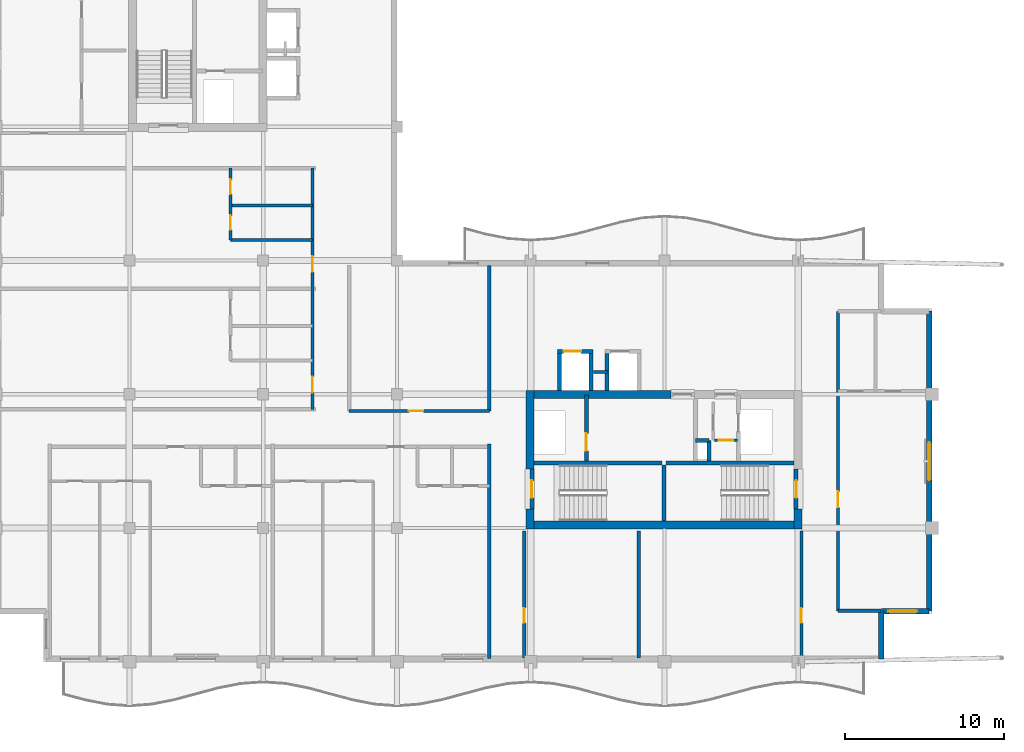
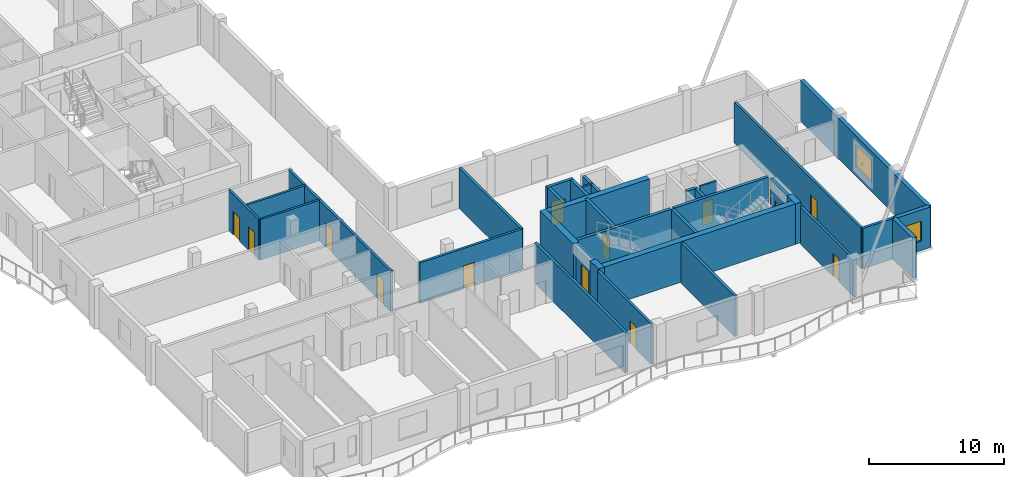
# One storey, part 8 of 17: 34 walls, 13 doors, 2 windows, 15 openings.
"""IFC4 building model written with IfcOpenShell, lengths in metres."""

from ifc_helpers import new_model, si_unit, direction, frame, frame_2d, origin, place, context, subcontext, project, spatial, rectangle, extrude, material, layer, layer_set, type_object, element, fill, save


model = new_model("IFC4")

# Units and contexts
model_context = context("Model", 3, precision=1e-05, world=origin(), true_north=direction((0.0, 1.0)))
body_context = subcontext(model_context, "Body", "Model", "MODEL_VIEW")
ifc_project = project(units=[si_unit("LENGTHUNIT", "METRE"), si_unit("AREAUNIT", "SQUARE_METRE"), si_unit("VOLUMEUNIT", "CUBIC_METRE"), si_unit("PLANEANGLEUNIT", "RADIAN"), si_unit("MASSUNIT", "GRAM", prefix="KILO")], contexts=[model_context])

# Site, building, storey
site_placement = place(None, origin())
site = spatial("IfcSite", under=ifc_project, at=site_placement, CompositionType="ELEMENT")
building_placement = place(site_placement, origin())
building = spatial("IfcBuilding", under=site, at=building_placement, Name="Koriwani Terraces Tower", CompositionType="ELEMENT")
storey_placement = place(building_placement, frame((0.0, 0.0, 332.0)))
storey = spatial("IfcBuildingStorey", under=building, at=storey_placement, Name="L82", CompositionType="ELEMENT", Elevation=332.0)

# Walls
ifc_material_1 = material(Name="Concrete C50/60", Category="concrete")
ifc_layer_1 = layer(ifc_material_1, 0.5, Name="Concrete C50/60")
ifc_layer_set_1 = layer_set([ifc_layer_1], Name="Concrete C50/60")
wall_type_1 = type_object("IfcWallType", Name="WALL_CORE_RC_500", PredefinedType="SHEAR", material=ifc_layer_set_1)
wall_1_placement = place(storey_placement, frame((41.949951171875, 16.75, 0.0), z_axis=(0.0, 0.0, 1.0), x_axis=(0.0, 1.0, 0.0)))
element("IfcWall", 1, at=wall_1_placement, inside=storey, type_object=wall_type_1, Name="L82 East Split Core Shear Wall W1", PredefinedType="SHEAR", context=body_context, shape_type="SweptSolid", body=[
    extrude(rectangle(XDim=1.25, YDim=0.5, at=frame_2d((0.625, 0.0))), origin(), (0.0, 0.0, 1.0), 3.669921875),
])
wall_2_placement = place(storey_placement, frame((41.949951171875, 20.5, 0.0), z_axis=(0.0, 0.0, 1.0), x_axis=(0.0, 1.0, 0.0)))
element("IfcWall", 2, at=wall_2_placement, inside=storey, type_object=wall_type_1, Name="L82 East Split Core Shear Wall W2", PredefinedType="SHEAR", context=body_context, shape_type="SweptSolid", body=[
    extrude(rectangle(XDim=4.949951171875, YDim=0.5, at=frame_2d((2.47509765625, 0.0))), origin(), (0.0, 0.0, 1.0), 3.669921875),
])
wall_3_placement = place(storey_placement, frame((58.800048828125, 16.75, 0.0), z_axis=(0.0, 0.0, 1.0), x_axis=(0.0, 1.0, 0.0)))
element("IfcWall", 3, at=wall_3_placement, inside=storey, type_object=wall_type_1, Name="L82 East Split Core Shear Wall E1", PredefinedType="SHEAR", context=body_context, shape_type="SweptSolid", body=[
    extrude(rectangle(XDim=1.25, YDim=0.5, at=frame_2d((0.625, 0.0))), origin(), (0.0, 0.0, 1.0), 3.669921875),
])
wall_4_placement = place(storey_placement, frame((42.199951171875, 17.0, 0.0), z_axis=(0.0, 0.0, 1.0), x_axis=(1.0, 0.0, 0.0)))
element("IfcWall", 4, at=wall_4_placement, inside=storey, type_object=wall_type_1, Name="L82 East Split Core Shear Wall S1", PredefinedType="SHEAR", context=body_context, shape_type="SweptSolid", body=[
    extrude(rectangle(XDim=16.35009765625, YDim=0.5, at=frame_2d((8.175048828125, 0.0))), origin(), (0.0, 0.0, 1.0), 3.669921875),
])
wall_5_placement = place(storey_placement, frame((42.199951171875, 25.199951171875, 0.0), z_axis=(0.0, 0.0, 1.0), x_axis=(1.0, 0.0, 0.0)))
element("IfcWall", 5, at=wall_5_placement, inside=storey, type_object=wall_type_1, Name="L82 East Split Core Shear Wall N1", PredefinedType="SHEAR", context=body_context, shape_type="SweptSolid", body=[
    extrude(rectangle(XDim=8.60009765625, YDim=0.5, at=frame_2d((4.300048828125, 0.0))), origin(), (0.0, 0.0, 1.0), 3.669921875),
])

# Wall, opening, door
ifc_material_2 = material(Name="Autoclaved Cellular Concrete Blockwork", Category="masonry")
ifc_layer_2 = layer(ifc_material_2, 0.199951171875, Name="Autoclaved Cellular Concrete Blockwork")
ifc_layer_set_2 = layer_set([ifc_layer_2], Name="Autoclaved Cellular Concrete Blockwork")
wall_type_2 = type_object("IfcWallType", Name="WALL_CORRIDOR_200", PredefinedType="PARTITIONING", material=ifc_layer_set_2)
wall_6_placement = place(storey_placement, frame((30.60009765625, 24.14990234375, 0.0), z_axis=(0.0, 0.0, 1.0), x_axis=(1.0, 0.0, 0.0)))
wall_6 = element("IfcWall", 6, at=wall_6_placement, inside=storey, type_object=wall_type_2, Name="L82 Interior Wall WIC4S-L82", PredefinedType="PARTITIONING", context=body_context, shape_type="SweptSolid", body=[
    extrude(rectangle(XDim=8.7998046875, YDim=0.199951171875, at=frame_2d((4.39990234375, 0.0))), origin(), (0.0, 0.0, 1.0), 3.669921875),
])
opening_1_placement = place(wall_6_placement, frame((3.75, 0.0, 0.0)))
opening_1 = element("IfcOpeningElement", 7, at=opening_1_placement, cuts=wall_6, Name="Opening D-06", PredefinedType="OPENING", context=body_context, shape_type="SweptSolid", body=[
    extrude(rectangle(XDim=0.919921875, YDim=2.10009765625, at=frame_2d((0.4599609375, 1.050048828125))), frame((0.0, 0.10986328125, 0.0), z_axis=(0.0, -1.0, 0.0), x_axis=(1.0, 0.0, 0.0)), (0.0, 0.0, 1.0), 0.219970703125),
])
ifc_material_3 = material(Name="Architectural Oak Fire Door", Category="wood")
door_type_1 = type_object("IfcDoorType", Name="DOOR_ROOM_INT_920X2100", OperationType="NOTDEFINED", PredefinedType="DOOR", material=ifc_material_3)
door_1_placement = place(opening_1_placement, origin())
door_1 = element("IfcDoor", 8, at=door_1_placement, inside=storey, type_object=door_type_1, Name="L82 High-Rise Court Lounge Door", OperationType="SINGLE_SWING_RIGHT", OverallHeight=2.10009765625, OverallWidth=0.919921875, PredefinedType="DOOR", context=body_context, shape_type="SweptSolid", body=[
    extrude(rectangle(XDim=0.919921875, YDim=2.10009765625, at=frame_2d((0.4599609375, 1.050048828125))), frame((0.0, 0.02490234375, 0.0), z_axis=(0.0, -1.0, 0.0), x_axis=(1.0, 0.0, 0.0)), (0.0, 0.0, 1.0), 0.050048828125),
])
fill(opening_1, door_1)

wall_7_placement = place(storey_placement, frame((41.60009765625, 8.64990234375, 0.0), z_axis=(0.0, 0.0, 1.0), x_axis=(0.0, 1.0, 0.0)))
wall_7 = element("IfcWall", 9, at=wall_7_placement, inside=storey, type_object=wall_type_2, Name="L82 Interior Wall WRZ4-EW-L82", PredefinedType="PARTITIONING", context=body_context, shape_type="SweptSolid", body=[
    extrude(rectangle(XDim=7.9501953125, YDim=0.199951171875, at=frame_2d((3.97509765625, 0.0))), origin(), (0.0, 0.0, 1.0), 3.669921875),
])
opening_2_placement = place(wall_7_placement, frame((2.199951171875, 0.0, 0.0)))
opening_2 = element("IfcOpeningElement", 10, at=opening_2_placement, cuts=wall_7, Name="Opening D-06", PredefinedType="OPENING", context=body_context, shape_type="SweptSolid", body=[
    extrude(rectangle(XDim=0.919921875, YDim=2.10009765625, at=frame_2d((0.4599609375, 1.050048828125))), frame((0.0, 0.10986328125, 0.0), z_axis=(0.0, -1.0, 0.0), x_axis=(1.0, 0.0, 0.0)), (0.0, 0.0, 1.0), 0.219970703125),
])
door_2_placement = place(opening_2_placement, origin())
door_2 = element("IfcDoor", 11, at=door_2_placement, inside=storey, type_object=door_type_1, Name="L82 Resident Library Study Door", OperationType="SINGLE_SWING_LEFT", OverallHeight=2.10009765625, OverallWidth=0.919921875, PredefinedType="DOOR", context=body_context, shape_type="SweptSolid", body=[
    extrude(rectangle(XDim=0.919921875, YDim=2.10009765625, at=frame_2d((0.4599609375, 1.050048828125))), frame((0.0, 0.02490234375, 0.0), z_axis=(0.0, -1.0, 0.0), x_axis=(1.0, 0.0, 0.0)), (0.0, 0.0, 1.0), 0.050048828125),
])
fill(opening_2, door_2)

wall_8_placement = place(storey_placement, frame((59.0, 8.64990234375, 0.0), z_axis=(0.0, 0.0, 1.0), x_axis=(0.0, 1.0, 0.0)))
wall_8 = element("IfcWall", 12, at=wall_8_placement, inside=storey, type_object=wall_type_2, Name="L82 Interior Wall WRZ4-EE-L82", PredefinedType="PARTITIONING", context=body_context, shape_type="SweptSolid", body=[
    extrude(rectangle(XDim=7.9501953125, YDim=0.199951171875, at=frame_2d((3.97509765625, 0.0))), origin(), (0.0, 0.0, 1.0), 3.360107421875),
])
opening_3_placement = place(wall_8_placement, frame((2.199951171875, 0.0, 0.0)))
opening_3 = element("IfcOpeningElement", 13, at=opening_3_placement, cuts=wall_8, Name="Opening D-06", PredefinedType="OPENING", context=body_context, shape_type="SweptSolid", body=[
    extrude(rectangle(XDim=0.919921875, YDim=2.10009765625, at=frame_2d((0.4599609375, 1.050048828125))), frame((0.0, 0.10986328125, 0.0), z_axis=(0.0, -1.0, 0.0), x_axis=(1.0, 0.0, 0.0)), (0.0, 0.0, 1.0), 0.219970703125),
])
door_3_placement = place(opening_3_placement, origin())
door_3 = element("IfcDoor", 14, at=door_3_placement, inside=storey, type_object=door_type_1, Name="L82 Resident Laundry Room Door", OperationType="SINGLE_SWING_RIGHT", OverallHeight=2.10009765625, OverallWidth=0.919921875, PredefinedType="DOOR", context=body_context, shape_type="SweptSolid", body=[
    extrude(rectangle(XDim=0.919921875, YDim=2.10009765625, at=frame_2d((0.4599609375, 1.050048828125))), frame((0.0, 0.02490234375, 0.0), z_axis=(0.0, -1.0, 0.0), x_axis=(1.0, 0.0, 0.0)), (0.0, 0.0, 1.0), 0.050048828125),
])
fill(opening_3, door_3)

# Wall, openings, doors
wall_9_placement = place(storey_placement, frame((28.300048828125, 24.25, 0.0), z_axis=(0.0, 0.0, 1.0), x_axis=(0.0, 1.0, 0.0)))
wall_9 = element("IfcWall", 15, at=wall_9_placement, inside=storey, type_object=wall_type_2, Name="L82 Interior Wall WRCOR-L82-NE-0", PredefinedType="PARTITIONING", context=body_context, shape_type="SweptSolid", body=[
    extrude(rectangle(XDim=15.14990234375, YDim=0.199951171875, at=frame_2d((7.574951171875, 0.0))), origin(), (0.0, 0.0, 1.0), 3.669921875),
])
opening_4_placement = place(wall_9_placement, frame((1.0576171875, 0.0, 0.0)))
opening_4 = element("IfcOpeningElement", 16, at=opening_4_placement, cuts=wall_9, Name="Opening D-05", PredefinedType="OPENING", context=body_context, shape_type="SweptSolid", body=[
    extrude(rectangle(XDim=1.0, YDim=2.14990234375, at=frame_2d((0.5, 1.074951171875))), frame((0.0, 0.10986328125, 0.0), z_axis=(0.0, -1.0, 0.0), x_axis=(1.0, 0.0, 0.0)), (0.0, 0.0, 1.0), 0.219970703125),
])
opening_5_placement = place(wall_9_placement, frame((8.632568359375, 0.0, 0.0)))
opening_5 = element("IfcOpeningElement", 17, at=opening_5_placement, cuts=wall_9, Name="Opening D-05", PredefinedType="OPENING", context=body_context, shape_type="SweptSolid", body=[
    extrude(rectangle(XDim=1.0, YDim=2.14990234375, at=frame_2d((0.5, 1.074951171875))), frame((0.0, 0.10986328125, 0.0), z_axis=(0.0, -1.0, 0.0), x_axis=(1.0, 0.0, 0.0)), (0.0, 0.0, 1.0), 0.219970703125),
])
door_type_2 = type_object("IfcDoorType", Name="DOOR_SUITE_ENTRY_1000X2150", OperationType="NOTDEFINED", PredefinedType="DOOR", material=ifc_material_3)
door_4_placement = place(opening_4_placement, origin())
door_4 = element("IfcDoor", 18, at=door_4_placement, inside=storey, type_object=door_type_2, Name="Apartment 82NE1 Entrance Door", OperationType="SINGLE_SWING_LEFT", OverallHeight=2.14990234375, OverallWidth=1.0, PredefinedType="DOOR", context=body_context, shape_type="SweptSolid", body=[
    extrude(rectangle(XDim=1.0, YDim=2.14990234375, at=frame_2d((0.5, 1.074951171875))), frame((0.0, 0.02490234375, 0.0), z_axis=(0.0, -1.0, 0.0), x_axis=(1.0, 0.0, 0.0)), (0.0, 0.0, 1.0), 0.050048828125),
])
fill(opening_4, door_4)
door_5_placement = place(opening_5_placement, origin())
door_5 = element("IfcDoor", 19, at=door_5_placement, inside=storey, type_object=door_type_2, Name="Apartment 82NE2 Entrance Door", OperationType="SINGLE_SWING_RIGHT", OverallHeight=2.14990234375, OverallWidth=1.0, PredefinedType="DOOR", context=body_context, shape_type="SweptSolid", body=[
    extrude(rectangle(XDim=1.0, YDim=2.14990234375, at=frame_2d((0.5, 1.074951171875))), frame((0.0, 0.02490234375, 0.0), z_axis=(0.0, -1.0, 0.0), x_axis=(1.0, 0.0, 0.0)), (0.0, 0.0, 1.0), 0.050048828125),
])
fill(opening_5, door_5)

# Wall, opening, door
wall_10_placement = place(storey_placement, frame((61.300048828125, 11.60009765625, 0.0), z_axis=(0.0, 0.0, 1.0), x_axis=(0.0, 1.0, 0.0)))
wall_10 = element("IfcWall", 20, at=wall_10_placement, inside=storey, type_object=wall_type_2, Name="L82 Interior Wall WET-W-L82", PredefinedType="PARTITIONING", context=body_context, shape_type="SweptSolid", body=[
    extrude(rectangle(XDim=18.7998046875, YDim=0.199951171875, at=frame_2d((9.39990234375, 0.0))), origin(), (0.0, 0.0, 1.0), 3.669921875),
])
opening_6_placement = place(wall_10_placement, frame((6.5, 0.0, 0.0)))
opening_6 = element("IfcOpeningElement", 21, at=opening_6_placement, cuts=wall_10, Name="Opening D-05", PredefinedType="OPENING", context=body_context, shape_type="SweptSolid", body=[
    extrude(rectangle(XDim=1.0, YDim=2.14990234375, at=frame_2d((0.5, 1.074951171875))), frame((0.0, 0.10986328125, 0.0), z_axis=(0.0, -1.0, 0.0), x_axis=(1.0, 0.0, 0.0)), (0.0, 0.0, 1.0), 0.219970703125),
])
door_6_placement = place(opening_6_placement, origin())
door_6 = element("IfcDoor", 22, at=door_6_placement, inside=storey, type_object=door_type_2, Name="Apartment 82ET Entrance Door", OperationType="SINGLE_SWING_RIGHT", OverallHeight=2.14990234375, OverallWidth=1.0, PredefinedType="DOOR", context=body_context, shape_type="SweptSolid", body=[
    extrude(rectangle(XDim=1.0, YDim=2.14990234375, at=frame_2d((0.5, 1.074951171875))), frame((0.0, 0.02490234375, 0.0), z_axis=(0.0, -1.0, 0.0), x_axis=(1.0, 0.0, 0.0)), (0.0, 0.0, 1.0), 0.050048828125),
])
fill(opening_6, door_6)

# Walls
ifc_layer_3 = layer(ifc_material_2, 0.219970703125, Name="Autoclaved Cellular Concrete Blockwork")
ifc_layer_set_3 = layer_set([ifc_layer_3], Name="Autoclaved Cellular Concrete Blockwork")
wall_type_3 = type_object("IfcWallType", Name="WALL_DEMISING_220", PredefinedType="PARTITIONING", material=ifc_layer_set_3)
wall_11_placement = place(storey_placement, frame((39.39990234375, 24.14990234375, 0.0), z_axis=(0.0, 0.0, 1.0), x_axis=(0.0, 1.0, 0.0)))
element("IfcWall", 23, at=wall_11_placement, inside=storey, type_object=wall_type_3, Name="L82 Interior Wall WIC4SE-L82", PredefinedType="PARTITIONING", context=body_context, shape_type="SweptSolid", body=[
    extrude(rectangle(XDim=9.150146484375, YDim=0.219970703125, at=frame_2d((4.5751953125, 0.0))), origin(), (0.0, 0.0, 1.0), 3.669921875),
])
wall_12_placement = place(storey_placement, frame((48.800048828125, 8.64990234375, 0.0), z_axis=(0.0, 0.0, 1.0), x_axis=(0.0, 1.0, 0.0)))
element("IfcWall", 24, at=wall_12_placement, inside=storey, type_object=wall_type_3, Name="L82 Interior Wall WRZ4-EM-L82", PredefinedType="PARTITIONING", context=body_context, shape_type="SweptSolid", body=[
    extrude(rectangle(XDim=7.9501953125, YDim=0.219970703125, at=frame_2d((3.97509765625, 0.0))), origin(), (0.0, 0.0, 1.0), 3.669921875),
])
wall_13_placement = place(storey_placement, frame((39.39990234375, 8.60009765625, 0.0), z_axis=(0.0, 0.0, 1.0), x_axis=(0.0, 1.0, 0.0)))
element("IfcWall", 25, at=wall_13_placement, inside=storey, type_object=wall_type_3, Name="L82 Interior Wall WRDEME-L82-SW", PredefinedType="PARTITIONING", context=body_context, shape_type="SweptSolid", body=[
    extrude(rectangle(XDim=13.47998046875, YDim=0.219970703125, at=frame_2d((6.739990234375, 0.0))), origin(), (0.0, 0.0, 1.0), 3.669921875),
])
wall_14_placement = place(storey_placement, frame((61.300048828125, 11.60009765625, 0.0), z_axis=(0.0, 0.0, 1.0), x_axis=(1.0, 0.0, 0.0)))
element("IfcWall", 26, at=wall_14_placement, inside=storey, type_object=wall_type_3, Name="L82 Interior Wall WET-S-L82", PredefinedType="PARTITIONING", context=body_context, shape_type="SweptSolid", body=[
    extrude(rectangle(XDim=2.699951171875, YDim=0.219970703125, at=frame_2d((1.35009765625, 0.0))), origin(), (0.0, 0.0, 1.0), 3.669921875),
])

# Wall, opening, window
ifc_layer_4 = layer(ifc_material_1, 0.35009765625, Name="Concrete C50/60")
ifc_layer_set_4 = layer_set([ifc_layer_4], Name="Concrete C50/60")
wall_type_4 = type_object("IfcWallType", Name="WALL_EXT_BRUTALIST_350", PredefinedType="STANDARD", material=ifc_layer_set_4)
wall_15_placement = place(storey_placement, frame((67.02490234375, 30.425048828125, 0.0), z_axis=(0.0, 0.0, 1.0), x_axis=(0.0, -1.0, 0.0)))
wall_15 = element("IfcWall", 27, at=wall_15_placement, inside=storey, type_object=wall_type_4, Name="L82 Fair-Faced Brutalist Exterior Wall (E_TIP)", PredefinedType="STANDARD", context=body_context, shape_type="SweptSolid", body=[
    extrude(rectangle(XDim=18.85009765625, YDim=0.35009765625, at=frame_2d((9.425048828125, 0.0))), origin(), (0.0, 0.0, 1.0), 3.669921875),
])
opening_7_placement = place(wall_15_placement, frame((8.22509765625, 0.0, 0.85009765625)))
opening_7 = element("IfcOpeningElement", 28, at=opening_7_placement, cuts=wall_15, Name="Opening W-03", PredefinedType="OPENING", context=body_context, shape_type="SweptSolid", body=[
    extrude(rectangle(XDim=2.39990234375, YDim=1.949951171875, at=frame_2d((1.199951171875, 0.97509765625))), frame((0.0, 0.18505859375, 0.0), z_axis=(0.0, -1.0, 0.0), x_axis=(1.0, 0.0, 0.0)), (0.0, 0.0, 1.0), 0.3701171875),
])
ifc_material_4 = material(Name="Tempered Laminated Low-E Glass", Category="glass")
window_type_1 = type_object("IfcWindowType", Name="WIN_RES_LIVING_2400X1950", PartitioningType="DOUBLE_PANEL_VERTICAL", PredefinedType="WINDOW", material=ifc_material_4)
window_1_placement = place(opening_7_placement, origin())
window_1 = element("IfcWindow", 29, at=window_1_placement, inside=storey, type_object=window_type_1, Name="L82 Exterior Window (E_TIP-3)", OverallHeight=1.949951171875, OverallWidth=2.39990234375, PartitioningType="SINGLE_PANEL", PredefinedType="WINDOW", context=body_context, shape_type="SweptSolid", body=[
    extrude(rectangle(XDim=2.39990234375, YDim=1.949951171875, at=frame_2d((1.199951171875, 0.97509765625))), frame((0.0, 0.030029296875, 0.0), z_axis=(0.0, -1.0, 0.0), x_axis=(1.0, 0.0, 0.0)), (0.0, 0.0, 1.0), 0.06005859375),
])
fill(opening_7, window_1)

wall_16_placement = place(storey_placement, frame((67.02490234375, 11.574951171875, 0.0), z_axis=(0.0, 0.0, 1.0), x_axis=(-1.0, 0.0, 0.0)))
wall_16 = element("IfcWall", 30, at=wall_16_placement, inside=storey, type_object=wall_type_4, Name="L82 Fair-Faced Brutalist Exterior Wall (N13)", PredefinedType="STANDARD", context=body_context, shape_type="SweptSolid", body=[
    extrude(rectangle(XDim=3.0, YDim=0.35009765625, at=frame_2d((1.5, 0.0))), origin(), (0.0, 0.0, 1.0), 3.669921875),
])
opening_8_placement = place(wall_16_placement, frame((0.762451171875, 0.0, 0.85009765625)))
opening_8 = element("IfcOpeningElement", 31, at=opening_8_placement, cuts=wall_16, Name="Opening W-04", PredefinedType="OPENING", context=body_context, shape_type="SweptSolid", body=[
    extrude(rectangle(XDim=1.800048828125, YDim=1.800048828125, at=frame_2d((0.89990234375, 0.89990234375))), frame((0.0, 0.18505859375, 0.0), z_axis=(0.0, -1.0, 0.0), x_axis=(1.0, 0.0, 0.0)), (0.0, 0.0, 1.0), 0.3701171875),
])
window_type_2 = type_object("IfcWindowType", Name="WIN_RES_BED_1800X1800", PartitioningType="DOUBLE_PANEL_VERTICAL", PredefinedType="WINDOW", material=ifc_material_4)
window_2_placement = place(opening_8_placement, origin())
window_2 = element("IfcWindow", 32, at=window_2_placement, inside=storey, type_object=window_type_2, Name="L82 Exterior Window (N13-R59)", OverallHeight=1.800048828125, OverallWidth=1.800048828125, PartitioningType="SINGLE_PANEL", PredefinedType="WINDOW", context=body_context, shape_type="SweptSolid", body=[
    extrude(rectangle(XDim=1.800048828125, YDim=1.800048828125, at=frame_2d((0.89990234375, 0.89990234375))), frame((0.0, 0.030029296875, 0.0), z_axis=(0.0, -1.0, 0.0), x_axis=(1.0, 0.0, 0.0)), (0.0, 0.0, 1.0), 0.06005859375),
])
fill(opening_8, window_2)

# Wall
wall_17_placement = place(storey_placement, frame((64.02490234375, 11.574951171875, 0.0), z_axis=(0.0, 0.0, 1.0), x_axis=(0.0, -1.0, 0.0)))
element("IfcWall", 33, at=wall_17_placement, inside=storey, type_object=wall_type_4, Name="L82 Fair-Faced Brutalist Exterior Wall (N14)", PredefinedType="STANDARD", context=body_context, shape_type="SweptSolid", body=[
    extrude(rectangle(XDim=3.0, YDim=0.35009765625, at=frame_2d((1.5, 0.0))), origin(), (0.0, 0.0, 1.0), 3.669921875),
])

# Wall, openings, doors
ifc_material_5 = material(Name="Fire-Rated Acoustic Gypsum Partition", Category="masonry")
ifc_layer_5 = layer(ifc_material_5, 0.179931640625, Name="Fire-Rated Acoustic Gypsum Partition")
ifc_layer_set_5 = layer_set([ifc_layer_5], Name="Fire-Rated Acoustic Gypsum Partition")
wall_type_5 = type_object("IfcWallType", Name="WALL_PLUMBING_180", PredefinedType="PLUMBINGWALL", material=ifc_layer_set_5)
wall_18_placement = place(storey_placement, frame((23.14990234375, 34.89990234375, 0.0), z_axis=(0.0, 0.0, 1.0), x_axis=(0.0, 1.0, 0.0)))
wall_18 = element("IfcWall", 34, at=wall_18_placement, inside=storey, type_object=wall_type_5, Name="L82 Interior Wall WRSVC-L82-NE-1", PredefinedType="PLUMBINGWALL", context=body_context, shape_type="SweptSolid", body=[
    extrude(rectangle(XDim=4.5, YDim=0.179931640625, at=frame_2d((2.25, 0.0))), origin(), (0.0, 0.0, 1.0), 3.669921875),
])
opening_9_placement = place(wall_18_placement, frame((0.6298828125, 0.0, 0.0)))
opening_9 = element("IfcOpeningElement", 35, at=opening_9_placement, cuts=wall_18, Name="Opening D-07", PredefinedType="OPENING", context=body_context, shape_type="SweptSolid", body=[
    extrude(rectangle(XDim=0.89990234375, YDim=2.10009765625, at=frame_2d((0.449951171875, 1.050048828125))), frame((0.0, 0.10009765625, 0.0), z_axis=(0.0, -1.0, 0.0), x_axis=(1.0, 0.0, 0.0)), (0.0, 0.0, 1.0), 0.199951171875),
])
opening_10_placement = place(wall_18_placement, frame((2.8701171875, 0.0, 0.0)))
opening_10 = element("IfcOpeningElement", 36, at=opening_10_placement, cuts=wall_18, Name="Opening D-06", PredefinedType="OPENING", context=body_context, shape_type="SweptSolid", body=[
    extrude(rectangle(XDim=0.919921875, YDim=2.10009765625, at=frame_2d((0.4599609375, 1.050048828125))), frame((0.0, 0.10009765625, 0.0), z_axis=(0.0, -1.0, 0.0), x_axis=(1.0, 0.0, 0.0)), (0.0, 0.0, 1.0), 0.199951171875),
])
door_type_3 = type_object("IfcDoorType", Name="DOOR_BATH_INT_900X2100", OperationType="NOTDEFINED", PredefinedType="DOOR", material=ifc_material_3)
door_7_placement = place(opening_9_placement, origin())
door_7 = element("IfcDoor", 37, at=door_7_placement, inside=storey, type_object=door_type_3, Name="Apartment 82NE2 Bathroom Door", OperationType="SINGLE_SWING_LEFT", OverallHeight=2.10009765625, OverallWidth=0.89990234375, PredefinedType="DOOR", context=body_context, shape_type="SweptSolid", body=[
    extrude(rectangle(XDim=0.89990234375, YDim=2.10009765625, at=frame_2d((0.449951171875, 1.050048828125))), frame((0.0, 0.02490234375, 0.0), z_axis=(0.0, -1.0, 0.0), x_axis=(1.0, 0.0, 0.0)), (0.0, 0.0, 1.0), 0.050048828125),
])
fill(opening_9, door_7)
door_8_placement = place(opening_10_placement, origin())
door_8 = element("IfcDoor", 38, at=door_8_placement, inside=storey, type_object=door_type_1, Name="Apartment 82NE2 Kitchen Door", OperationType="SINGLE_SWING_RIGHT", OverallHeight=2.10009765625, OverallWidth=0.919921875, PredefinedType="DOOR", context=body_context, shape_type="SweptSolid", body=[
    extrude(rectangle(XDim=0.919921875, YDim=2.10009765625, at=frame_2d((0.4599609375, 1.050048828125))), frame((0.0, 0.02490234375, 0.0), z_axis=(0.0, -1.0, 0.0), x_axis=(1.0, 0.0, 0.0)), (0.0, 0.0, 1.0), 0.050048828125),
])
fill(opening_10, door_8)

# Walls
for number, where, z_axis, x_axis, name in (
    (39, (23.14990234375, 34.89990234375, 0.0), (0.0, 0.0, 1.0), (1.0, 0.0, 0.0), "L82 Interior Wall WRSVCS-L82-NE-1"),
    (40, (23.14990234375, 37.06005859375, 0.0), (0.0, 0.0, 1.0), (1.0, 0.0, 0.0), "L82 Interior Wall WRSVCM-L82-NE-1"),
):
    element("IfcWall", number, at=place(storey_placement, frame(where, z_axis=z_axis, x_axis=x_axis)), inside=storey, type_object=wall_type_5, Name=name, PredefinedType="PLUMBINGWALL", context=body_context, shape_type="SweptSolid", body=[
        extrude(rectangle(XDim=5.150146484375, YDim=0.179931640625, at=frame_2d((2.5751953125, 0.0))), origin(), (0.0, 0.0, 1.0), 3.669921875),
    ])
ifc_material_6 = material(Name="Concrete C40/50", Category="concrete")
ifc_layer_6 = layer(ifc_material_6, 0.25, Name="Concrete C40/50")
ifc_layer_set_6 = layer_set([ifc_layer_6], Name="Concrete C40/50")
wall_type_6 = type_object("IfcWallType", Name="WALL_SHAFT_RATED_250", PredefinedType="SOLIDWALL", material=ifc_layer_set_6)
for number, where, z_axis, x_axis, name in (
    (41, (42.199951171875, 20.875, 0.0), (0.0, 0.0, 1.0), (1.0, 0.0, 0.0), "L82 East Split Core Web Wall MID1"),
    (42, (50.5, 20.875, 0.0), (0.0, 0.0, 1.0), (1.0, 0.0, 0.0), "L82 East Split Core Web Wall MID2"),
):
    element("IfcWall", number, at=place(storey_placement, frame(where, z_axis=z_axis, x_axis=x_axis)), inside=storey, type_object=wall_type_6, Name=name, PredefinedType="SOLIDWALL", context=body_context, shape_type="SweptSolid", body=[
        extrude(rectangle(XDim=8.050048828125, YDim=0.25, at=frame_2d((4.02490234375, 0.0))), origin(), (0.0, 0.0, 1.0), 3.669921875),
    ])
wall_19_placement = place(storey_placement, frame((50.375, 17.25, 0.0), z_axis=(0.0, 0.0, 1.0), x_axis=(0.0, 1.0, 0.0)))
element("IfcWall", 43, at=wall_19_placement, inside=storey, type_object=wall_type_6, Name="L82 East Split Core Stair Dividing Wall", PredefinedType="SOLIDWALL", context=body_context, shape_type="SweptSolid", body=[
    extrude(rectangle(XDim=3.5, YDim=0.25, at=frame_2d((1.75, 0.0))), origin(), (0.0, 0.0, 1.0), 3.669921875),
])

# Wall, opening, door
wall_20_placement = place(storey_placement, frame((42.074951171875, 18.0, 0.0), z_axis=(0.0, 0.0, 1.0), x_axis=(0.0, 1.0, 0.0)))
wall_20 = element("IfcWall", 44, at=wall_20_placement, inside=storey, type_object=wall_type_6, Name="L82 Interior Wall WIN-CE-L82-STW", PredefinedType="SOLIDWALL", context=body_context, shape_type="SweptSolid", body=[
    extrude(rectangle(XDim=2.5, YDim=0.25, at=frame_2d((1.25, 0.0))), origin(), (0.0, 0.0, 1.0), 3.669921875),
])
opening_11_placement = place(wall_20_placement, frame((0.699951171875, 0.0, 0.0)))
opening_11 = element("IfcOpeningElement", 45, at=opening_11_placement, cuts=wall_20, Name="Opening D-03", PredefinedType="OPENING", context=body_context, shape_type="SweptSolid", body=[
    extrude(rectangle(XDim=1.10009765625, YDim=2.14990234375, at=frame_2d((0.550048828125, 1.074951171875))), frame((0.0, 0.135009765625, 0.0), z_axis=(0.0, -1.0, 0.0), x_axis=(1.0, 0.0, 0.0)), (0.0, 0.0, 1.0), 0.27001953125),
])
ifc_material_7 = material(Name="Steel ASTM A572 Grade 50", Category="steel")
door_type_4 = type_object("IfcDoorType", Name="DOOR_STAIR_FIRE_1100X2150", OperationType="NOTDEFINED", PredefinedType="DOOR", material=ifc_material_7)
door_9_placement = place(opening_11_placement, origin())
door_9 = element("IfcDoor", 46, at=door_9_placement, inside=storey, type_object=door_type_4, Name="L82 Exit Stair ST-E1 Door", OperationType="SINGLE_SWING_RIGHT", OverallHeight=2.14990234375, OverallWidth=1.10009765625, PredefinedType="DOOR", context=body_context, shape_type="SweptSolid", body=[
    extrude(rectangle(XDim=1.10009765625, YDim=2.14990234375, at=frame_2d((0.550048828125, 1.074951171875))), frame((0.0, 0.02490234375, 0.0), z_axis=(0.0, -1.0, 0.0), x_axis=(1.0, 0.0, 0.0)), (0.0, 0.0, 1.0), 0.050048828125),
])
fill(opening_11, door_9)

wall_21_placement = place(storey_placement, frame((58.675048828125, 18.0, 0.0), z_axis=(0.0, 0.0, 1.0), x_axis=(0.0, 1.0, 0.0)))
wall_21 = element("IfcWall", 47, at=wall_21_placement, inside=storey, type_object=wall_type_6, Name="L82 Interior Wall WIN-CE-L82-STE", PredefinedType="SOLIDWALL", context=body_context, shape_type="SweptSolid", body=[
    extrude(rectangle(XDim=2.5, YDim=0.25, at=frame_2d((1.25, 0.0))), origin(), (0.0, 0.0, 1.0), 3.669921875),
])
opening_12_placement = place(wall_21_placement, frame((0.699951171875, 0.0, 0.0)))
opening_12 = element("IfcOpeningElement", 48, at=opening_12_placement, cuts=wall_21, Name="Opening D-03", PredefinedType="OPENING", context=body_context, shape_type="SweptSolid", body=[
    extrude(rectangle(XDim=1.10009765625, YDim=2.14990234375, at=frame_2d((0.550048828125, 1.074951171875))), frame((0.0, 0.135009765625, 0.0), z_axis=(0.0, -1.0, 0.0), x_axis=(1.0, 0.0, 0.0)), (0.0, 0.0, 1.0), 0.27001953125),
])
door_10_placement = place(opening_12_placement, origin())
door_10 = element("IfcDoor", 49, at=door_10_placement, inside=storey, type_object=door_type_4, Name="L82 Exit Stair ST-E2 Door", OperationType="SINGLE_SWING_LEFT", OverallHeight=2.14990234375, OverallWidth=1.10009765625, PredefinedType="DOOR", context=body_context, shape_type="SweptSolid", body=[
    extrude(rectangle(XDim=1.10009765625, YDim=2.14990234375, at=frame_2d((0.550048828125, 1.074951171875))), frame((0.0, 0.02490234375, 0.0), z_axis=(0.0, -1.0, 0.0), x_axis=(1.0, 0.0, 0.0)), (0.0, 0.0, 1.0), 0.050048828125),
])
fill(opening_12, door_10)

wall_22_placement = place(storey_placement, frame((45.5, 21.0, 0.0), z_axis=(0.0, 0.0, 1.0), x_axis=(0.0, 1.0, 0.0)))
wall_22 = element("IfcWall", 50, at=wall_22_placement, inside=storey, type_object=wall_type_6, Name="L82 Interior Wall WIN-CE-L82-FE", PredefinedType="SOLIDWALL", context=body_context, shape_type="SweptSolid", body=[
    extrude(rectangle(XDim=4.14990234375, YDim=0.25, at=frame_2d((2.074951171875, 0.0))), origin(), (0.0, 0.0, 1.0), 3.669921875),
])
opening_13_placement = place(wall_22_placement, frame((0.64990234375, 0.0, 0.0)))
opening_13 = element("IfcOpeningElement", 51, at=opening_13_placement, cuts=wall_22, Name="Opening LD-01", PredefinedType="OPENING", context=body_context, shape_type="SweptSolid", body=[
    extrude(rectangle(XDim=1.10009765625, YDim=2.14990234375, at=frame_2d((0.550048828125, 1.074951171875))), frame((0.0, 0.135009765625, 0.0), z_axis=(0.0, -1.0, 0.0), x_axis=(1.0, 0.0, 0.0)), (0.0, 0.0, 1.0), 0.27001953125),
])
door_type_5 = type_object("IfcDoorType", Name="DOOR_LIFT_LANDING_1100X2200", OperationType="NOTDEFINED", PredefinedType="DOOR", material=ifc_material_7)
door_11_placement = place(opening_13_placement, origin())
door_11 = element("IfcDoor", 52, at=door_11_placement, inside=storey, type_object=door_type_5, Name="L82 Firefighting Lift FE-02 Landing Door", OperationType="SLIDING_TO_LEFT", OverallHeight=2.14990234375, OverallWidth=1.10009765625, PredefinedType="DOOR", context=body_context, shape_type="SweptSolid", body=[
    extrude(rectangle(XDim=1.10009765625, YDim=2.14990234375, at=frame_2d((0.550048828125, 1.074951171875))), frame((0.0, 0.02490234375, 0.0), z_axis=(0.0, -1.0, 0.0), x_axis=(1.0, 0.0, 0.0)), (0.0, 0.0, 1.0), 0.050048828125),
])
fill(opening_13, door_11)

# Walls
wall_23_placement = place(storey_placement, frame((53.199951171875, 21.0, 0.0), z_axis=(0.0, 0.0, 1.0), x_axis=(0.0, 1.0, 0.0)))
element("IfcWall", 53, at=wall_23_placement, inside=storey, type_object=wall_type_6, Name="L82 Interior Wall WIN-CE-L82-RS1", PredefinedType="SOLIDWALL", context=body_context, shape_type="SweptSolid", body=[
    extrude(rectangle(XDim=1.300048828125, YDim=0.25, at=frame_2d((0.64990234375, 0.0))), origin(), (0.0, 0.0, 1.0), 3.669921875),
])
wall_24_placement = place(storey_placement, frame((52.360107421875, 22.300048828125, 0.0), z_axis=(0.0, 0.0, 1.0), x_axis=(1.0, 0.0, 0.0)))
element("IfcWall", 54, at=wall_24_placement, inside=storey, type_object=wall_type_6, Name="L82 Interior Wall WIN-CE-L82-RS2", PredefinedType="SOLIDWALL", context=body_context, shape_type="SweptSolid", body=[
    extrude(rectangle(XDim=0.83984375, YDim=0.25, at=frame_2d((0.419921875, 0.0))), origin(), (0.0, 0.0, 1.0), 3.669921875),
])

# Wall, opening, door
wall_25_placement = place(storey_placement, frame((43.675048828125, 27.89990234375, 0.0), z_axis=(0.0, 0.0, 1.0), x_axis=(1.0, 0.0, 0.0)))
wall_25 = element("IfcWall", 55, at=wall_25_placement, inside=storey, type_object=wall_type_6, Name="L82 Interior Wall WIN-LF-PE-H3-L82-F", PredefinedType="SOLIDWALL", context=body_context, shape_type="SweptSolid", body=[
    extrude(rectangle(XDim=2.25, YDim=0.25, at=frame_2d((1.125, 0.0))), origin(), (0.0, 0.0, 1.0), 3.669921875),
])
opening_14_placement = place(wall_25_placement, frame((0.39990234375, 0.0, 0.0)))
opening_14 = element("IfcOpeningElement", 56, at=opening_14_placement, cuts=wall_25, Name="Opening LD-01", PredefinedType="OPENING", context=body_context, shape_type="SweptSolid", body=[
    extrude(rectangle(XDim=1.10009765625, YDim=2.14990234375, at=frame_2d((0.550048828125, 1.074951171875))), frame((0.0, 0.135009765625, 0.0), z_axis=(0.0, -1.0, 0.0), x_axis=(1.0, 0.0, 0.0)), (0.0, 0.0, 1.0), 0.27001953125),
])
door_12_placement = place(opening_14_placement, origin())
door_12 = element("IfcDoor", 57, at=door_12_placement, inside=storey, type_object=door_type_5, Name="L82 Passenger Lift PE-H3 Landing Door", OperationType="SLIDING_TO_LEFT", OverallHeight=2.14990234375, OverallWidth=1.10009765625, PredefinedType="DOOR", context=body_context, shape_type="SweptSolid", body=[
    extrude(rectangle(XDim=1.10009765625, YDim=2.14990234375, at=frame_2d((0.550048828125, 1.074951171875))), frame((0.0, 0.02490234375, 0.0), z_axis=(0.0, -1.0, 0.0), x_axis=(1.0, 0.0, 0.0)), (0.0, 0.0, 1.0), 0.050048828125),
])
fill(opening_14, door_12)

# Walls
for number, where, z_axis, x_axis, name in (
    (58, (43.800048828125, 25.449951171875, 0.0), (0.0, 0.0, 1.0), (0.0, 1.0, 0.0), "L82 Interior Wall WIN-LF-PE-H3-L82-W"),
    (59, (45.800048828125, 25.449951171875, 0.0), (0.0, 0.0, 1.0), (0.0, 1.0, 0.0), "L82 Interior Wall WIN-LF-PE-H3-L82-E"),
    (60, (46.800048828125, 25.449951171875, 0.0), (0.0, 0.0, 1.0), (0.0, 1.0, 0.0), "L82 Interior Wall WIN-LF-PE-H4-L82-W"),
):
    element("IfcWall", number, at=place(storey_placement, frame(where, z_axis=z_axis, x_axis=x_axis)), inside=storey, type_object=wall_type_6, Name=name, PredefinedType="SOLIDWALL", context=body_context, shape_type="SweptSolid", body=[
        extrude(rectangle(XDim=2.324951171875, YDim=0.25, at=frame_2d((1.16259765625, 0.0))), origin(), (0.0, 0.0, 1.0), 3.669921875),
    ])

# Wall, opening, door
ifc_layer_7 = layer(ifc_material_5, 0.159912109375, Name="Fire-Rated Acoustic Gypsum Partition")
ifc_layer_set_7 = layer_set([ifc_layer_7], Name="Fire-Rated Acoustic Gypsum Partition")
wall_type_7 = type_object("IfcWallType", Name="WALL_SUITE_160", PredefinedType="PARTITIONING", material=ifc_layer_set_7)
wall_26_placement = place(storey_placement, frame((53.56005859375, 22.320068359375, 0.0), z_axis=(0.0, 0.0, 1.0), x_axis=(1.0, 0.0, 0.0)))
wall_26 = element("IfcWall", 61, at=wall_26_placement, inside=storey, type_object=wall_type_7, Name="L82 Interior Wall WIN-CE-L82-SV1A", PredefinedType="PARTITIONING", context=body_context, shape_type="SweptSolid", body=[
    extrude(rectangle(XDim=1.43994140625, YDim=0.159912109375, at=frame_2d((0.719970703125, 0.0))), origin(), (0.0, 0.0, 1.0), 3.669921875),
])
opening_15_placement = place(wall_26_placement, frame((0.260009765625, 0.0, 0.0)))
opening_15 = element("IfcOpeningElement", 62, at=opening_15_placement, cuts=wall_26, Name="Opening D-07", PredefinedType="OPENING", context=body_context, shape_type="SweptSolid", body=[
    extrude(rectangle(XDim=0.89990234375, YDim=2.10009765625, at=frame_2d((0.449951171875, 1.050048828125))), frame((0.0, 0.08984375, 0.0), z_axis=(0.0, -1.0, 0.0), x_axis=(1.0, 0.0, 0.0)), (0.0, 0.0, 1.0), 0.179931640625),
])
door_13_placement = place(opening_15_placement, origin())
door_13 = element("IfcDoor", 63, at=door_13_placement, inside=storey, type_object=door_type_3, Name="L82 East Telecom Room Door", OperationType="SINGLE_SWING_RIGHT", OverallHeight=2.10009765625, OverallWidth=0.89990234375, PredefinedType="DOOR", context=body_context, shape_type="SweptSolid", body=[
    extrude(rectangle(XDim=0.89990234375, YDim=2.10009765625, at=frame_2d((0.449951171875, 1.050048828125))), frame((0.0, 0.02490234375, 0.0), z_axis=(0.0, -1.0, 0.0), x_axis=(1.0, 0.0, 0.0)), (0.0, 0.0, 1.0), 0.050048828125),
])
fill(opening_15, door_13)

# Wall
wall_27_placement = place(storey_placement, frame((45.9599609375, 26.60009765625, 0.0), z_axis=(0.0, 0.0, 1.0), x_axis=(1.0, 0.0, 0.0)))
element("IfcWall", 64, at=wall_27_placement, inside=storey, type_object=wall_type_7, Name="L82 Interior Wall WIN-LF-PEH34-MID-L82", PredefinedType="PARTITIONING", context=body_context, shape_type="SweptSolid", body=[
    extrude(rectangle(XDim=0.880126953125, YDim=0.159912109375, at=frame_2d((0.43994140625, 0.0))), origin(), (0.0, 0.0, 1.0), 3.669921875),
])

save(model, "model.ifc")
